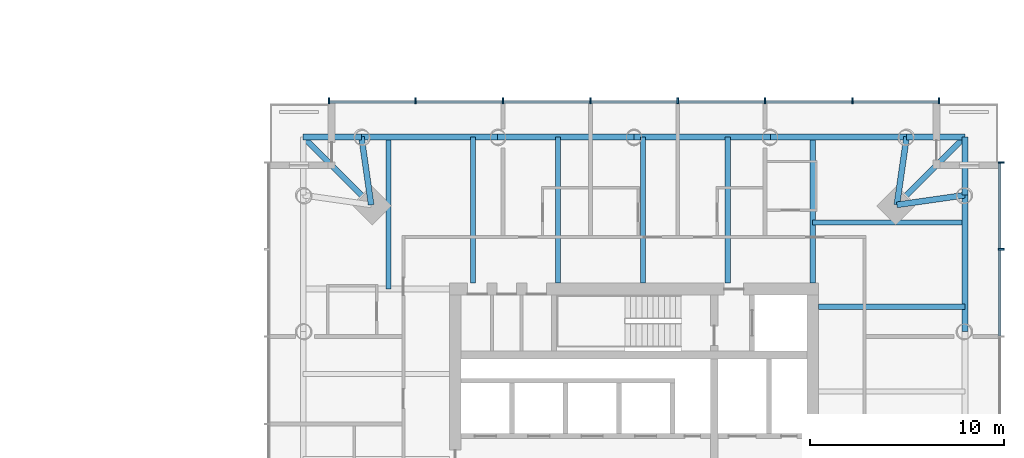
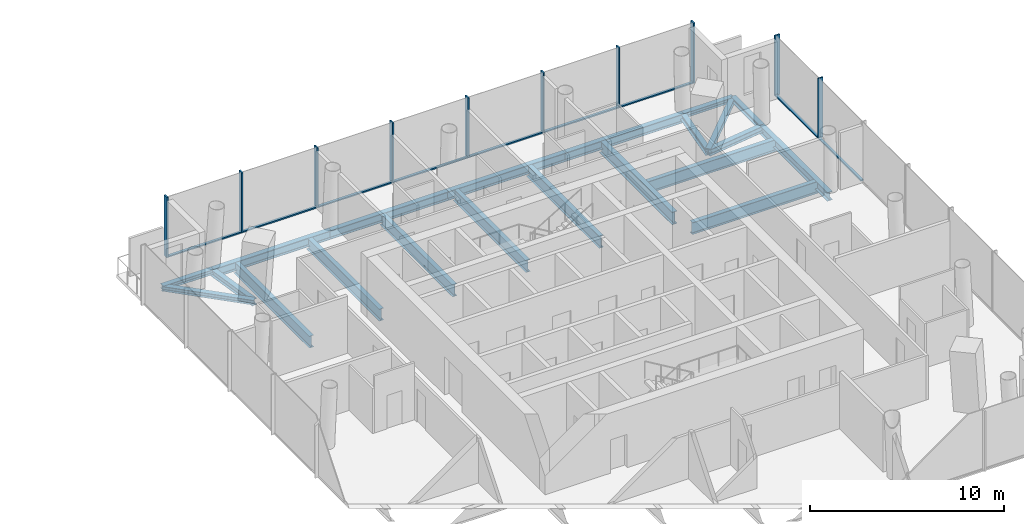
# One storey, part 6 of 26: 21 beams, 19 members, 2 elements without a shape of their own.
"""IFC4 building model written with IfcOpenShell, lengths in metres."""

from ifc_helpers import new_model, si_unit, direction, frame, origin, origin_2d, place, context, subcontext, project, spatial, rectangle, i_section, extrude, material, material_profile, profile_set, type_object, element, aggregate, save


model = new_model("IFC4")

# Units and contexts
model_context = context("Model", 3, precision=1e-05, world=origin(), true_north=direction((0.0, 1.0)))
body_context = subcontext(model_context, "Body", "Model", "MODEL_VIEW")
ifc_project = project(units=[si_unit("LENGTHUNIT", "METRE"), si_unit("AREAUNIT", "SQUARE_METRE"), si_unit("VOLUMEUNIT", "CUBIC_METRE"), si_unit("PLANEANGLEUNIT", "RADIAN"), si_unit("MASSUNIT", "GRAM", prefix="KILO")], contexts=[model_context])

# Site, building, storey
site_placement = place(None, origin())
site = spatial("IfcSite", under=ifc_project, at=site_placement, CompositionType="ELEMENT")
building_placement = place(site_placement, origin())
building = spatial("IfcBuilding", under=site, at=building_placement, Name="Ostroluk Exchange", CompositionType="ELEMENT")
storey_placement = place(building_placement, frame((0.0, 0.0, 66.60009765625)))
storey = spatial("IfcBuildingStorey", under=building, at=storey_placement, Name="L16", CompositionType="ELEMENT", Elevation=66.60009765625)

# Beams
ifc_material_1 = material(Name="Steel S355", Category="steel")
ifc_material_profile_1 = material_profile(ifc_material_1, i_section(OverallWidth=0.300048828125, OverallDepth=0.300048828125, WebThickness=0.010986328125, FlangeThickness=0.01904296875, FilletRadius=0.027099609375, at=origin_2d()), Name="HEB 300")
ifc_profile_set_1 = profile_set([ifc_material_profile_1], Name="Steel S355")
beam_type_1 = type_object("IfcBeamType", Name="Balcony beam HEB 300", PredefinedType="BEAM", material=ifc_profile_set_1)
for number, where, z_axis, x_axis, name in (
    (1, (134.034423828125, 60.034423828125, -0.35009765625), (0.0, 1.0, 0.0), (-1.0, 0.0, 0.0), "T2 east balcony beam a"),
    (2, (131.034423828125, 63.034423828125, -0.35009765625), (1.0, 0.0, 0.0), (0.0, 1.0, 0.0), "T2 east balcony beam b"),
):
    element("IfcBeam", number, at=place(storey_placement, frame(where, z_axis=z_axis, x_axis=x_axis)), inside=storey, type_object=beam_type_1, Name=name, PredefinedType="BEAM", context=body_context, shape_type="SweptSolid", body=[
        extrude(i_section(OverallWidth=0.300048828125, OverallDepth=0.300048828125, WebThickness=0.010986328125, FlangeThickness=0.01904296875, FilletRadius=0.027099609375, at=origin_2d()), origin(), (0.0, 0.0, 1.0), 3.0),
    ])
beam_1_placement = place(storey_placement, frame((130.534423828125, 59.534423828125, -0.35009765625), z_axis=(0.707106781187, 0.707106781187, 0.0), x_axis=(-0.707106781187, 0.707106781187, 0.0)))
element("IfcBeam", 3, at=beam_1_placement, inside=storey, type_object=beam_type_1, Name="T2 east balcony beam c", PredefinedType="BEAM", context=body_context, shape_type="SweptSolid", body=[
    extrude(i_section(OverallWidth=0.300048828125, OverallDepth=0.300048828125, WebThickness=0.010986328125, FlangeThickness=0.01904296875, FilletRadius=0.027099609375, at=origin_2d()), origin(), (0.0, 0.0, 1.0), 4.94970703125),
])
beam_2_placement = place(storey_placement, frame((102.965576171875, 63.034423828125, -0.35009765625), z_axis=(-1.0, 0.0, 0.0), x_axis=(0.0, -1.0, 0.0)))
element("IfcBeam", 4, at=beam_2_placement, inside=storey, type_object=beam_type_1, Name="T2 north balcony beam a", PredefinedType="BEAM", context=body_context, shape_type="SweptSolid", body=[
    extrude(i_section(OverallWidth=0.300048828125, OverallDepth=0.300048828125, WebThickness=0.010986328125, FlangeThickness=0.01904296875, FilletRadius=0.027099609375, at=origin_2d()), origin(), (0.0, 0.0, 1.0), 3.0),
])
beam_3_placement = place(storey_placement, frame((103.465576171875, 59.534423828125, -0.35009765625), z_axis=(-0.707106781187, 0.707106781187, 0.0), x_axis=(-0.707106781187, -0.707106781187, 0.0)))
element("IfcBeam", 5, at=beam_3_placement, inside=storey, type_object=beam_type_1, Name="T2 north balcony beam c", PredefinedType="BEAM", context=body_context, shape_type="SweptSolid", body=[
    extrude(i_section(OverallWidth=0.300048828125, OverallDepth=0.300048828125, WebThickness=0.010986328125, FlangeThickness=0.01904296875, FilletRadius=0.027099609375, at=origin_2d()), origin(), (0.0, 0.0, 1.0), 4.94970703125),
])
ifc_material_2 = material(Name="Steel S355", Category="steel")
ifc_material_profile_2 = material_profile(ifc_material_2, i_section(OverallWidth=0.300048828125, OverallDepth=0.39990234375, WebThickness=0.013427734375, FlangeThickness=0.02392578125, FilletRadius=0.027099609375, at=origin_2d()), Name="HEB 400")
ifc_profile_set_2 = profile_set([ifc_material_profile_2], Name="Steel S355")
beam_type_2 = type_object("IfcBeamType", Name="Corner edge beam HEB 400", PredefinedType="SPANDREL", material=ifc_profile_set_2)
for number, where, z_axis, x_axis, name in (
    (6, (130.534423828125, 59.534423828125, -0.400146484375), (0.989949493661, 0.141421356237, 0.0), (-0.141421356237, 0.989949493661, 0.0), "T2 east corner edge beam a"),
    (7, (130.534423828125, 59.534423828125, -0.400146484375), (0.141421356237, 0.989949493661, 0.0), (-0.989949493661, 0.141421356237, 0.0), "T2 east corner edge beam b"),
    (8, (103.465576171875, 59.534423828125, -0.400146484375), (-0.141421356237, 0.989949493661, 0.0), (-0.989949493661, -0.141421356237, 0.0), "T2 north corner edge beam a"),
):
    element("IfcBeam", number, at=place(storey_placement, frame(where, z_axis=z_axis, x_axis=x_axis)), inside=storey, type_object=beam_type_2, Name=name, PredefinedType="SPANDREL", context=body_context, shape_type="SweptSolid", body=[
        extrude(i_section(OverallWidth=0.300048828125, OverallDepth=0.39990234375, WebThickness=0.013427734375, FlangeThickness=0.02392578125, FilletRadius=0.027099609375, at=origin_2d()), origin(), (0.0, 0.0, 1.0), 3.53564453125),
    ])
ifc_material_3 = material(Name="Steel S355", Category="steel")
ifc_material_profile_3 = material_profile(ifc_material_3, i_section(OverallWidth=0.264892578125, OverallDepth=0.7529296875, WebThickness=0.01318359375, FlangeThickness=0.01708984375, FilletRadius=0.01708984375, at=origin_2d()), Name="IPE 750x147")
ifc_profile_set_3 = profile_set([ifc_material_profile_3], Name="Steel S355")
beam_type_3 = type_object("IfcBeamType", Name="Floor beam IPE 750x147", PredefinedType="BEAM", material=ifc_profile_set_3)
beam_4_placement = place(storey_placement, frame((126.5, 54.28955078125, -0.57666015625), z_axis=(1.0, 0.0, 0.0), x_axis=(0.0, 1.0, 0.0)))
element("IfcBeam", 9, at=beam_4_placement, inside=storey, type_object=beam_type_3, Name="T2 east floor beam 4", PredefinedType="BEAM", context=body_context, shape_type="SweptSolid", body=[
    extrude(i_section(OverallWidth=0.264892578125, OverallDepth=0.7529296875, WebThickness=0.01318359375, FlangeThickness=0.01708984375, FilletRadius=0.01708984375, at=origin_2d()), origin(), (0.0, 0.0, 1.0), 7.534423828125),
])
beam_5_placement = place(storey_placement, frame((126.199951171875, 58.634521484375, -0.57666015625), z_axis=(1.0, 0.0, 0.0), x_axis=(0.0, 1.0, 0.0)))
element("IfcBeam", 10, at=beam_5_placement, inside=storey, type_object=beam_type_3, Name="T2 east floor beam 5", PredefinedType="BEAM", context=body_context, shape_type="SweptSolid", body=[
    extrude(i_section(OverallWidth=0.264892578125, OverallDepth=0.7529296875, WebThickness=0.01318359375, FlangeThickness=0.01708984375, FilletRadius=0.01708984375, at=origin_2d()), origin(), (0.0, 0.0, 1.0), 7.83447265625),
])
for number, where, z_axis, x_axis, name in (
    (11, (121.82763671875, 55.5, -0.57666015625), (0.0, 1.0, 0.0), (-1.0, 0.0, 0.0), "T2 north floor beam 1"),
    (12, (117.455078125, 55.5, -0.57666015625), (0.0, 1.0, 0.0), (-1.0, 0.0, 0.0), "T2 north floor beam 2"),
    (13, (113.082763671875, 55.5, -0.57666015625), (0.0, 1.0, 0.0), (-1.0, 0.0, 0.0), "T2 north floor beam 3"),
    (14, (108.71044921875, 55.5, -0.57666015625), (0.0, 1.0, 0.0), (-1.0, 0.0, 0.0), "T2 north floor beam 4"),
):
    element("IfcBeam", number, at=place(storey_placement, frame(where, z_axis=z_axis, x_axis=x_axis)), inside=storey, type_object=beam_type_3, Name=name, PredefinedType="BEAM", context=body_context, shape_type="SweptSolid", body=[
        extrude(i_section(OverallWidth=0.264892578125, OverallDepth=0.7529296875, WebThickness=0.01318359375, FlangeThickness=0.01708984375, FilletRadius=0.01708984375, at=origin_2d()), origin(), (0.0, 0.0, 1.0), 7.534423828125),
    ])
beam_6_placement = place(storey_placement, frame((104.365478515625, 55.199951171875, -0.57666015625), z_axis=(0.0, 1.0, 0.0), x_axis=(-1.0, 0.0, 0.0)))
element("IfcBeam", 15, at=beam_6_placement, inside=storey, type_object=beam_type_3, Name="T2 north floor beam 5", PredefinedType="BEAM", context=body_context, shape_type="SweptSolid", body=[
    extrude(i_section(OverallWidth=0.264892578125, OverallDepth=0.7529296875, WebThickness=0.01318359375, FlangeThickness=0.01708984375, FilletRadius=0.01708984375, at=origin_2d()), origin(), (0.0, 0.0, 1.0), 7.83447265625),
])
ifc_material_4 = material(Name="Steel S355", Category="steel")
ifc_material_profile_4 = material_profile(ifc_material_4, i_section(OverallWidth=0.300048828125, OverallDepth=0.800048828125, WebThickness=0.017578125, FlangeThickness=0.032958984375, FilletRadius=0.030029296875, at=origin_2d()), Name="HEB 800")
ifc_profile_set_4 = profile_set([ifc_material_profile_4], Name="Steel S355")
beam_type_4 = type_object("IfcBeamType", Name="Girder HEB 800", PredefinedType="BEAM", material=ifc_profile_set_4)
beam_7_placement = place(storey_placement, frame((126.199951171875, 55.5, -0.60009765625), z_axis=(0.0, 1.0, 0.0), x_axis=(-1.0, 0.0, 0.0)))
element("IfcBeam", 16, at=beam_7_placement, inside=storey, type_object=beam_type_4, Name="T2 east girder", PredefinedType="BEAM", context=body_context, shape_type="SweptSolid", body=[
    extrude(i_section(OverallWidth=0.300048828125, OverallDepth=0.800048828125, WebThickness=0.017578125, FlangeThickness=0.032958984375, FilletRadius=0.030029296875, at=origin_2d()), origin(), (0.0, 0.0, 1.0), 7.534423828125),
])
ifc_material_5 = material(Name="Steel S355", Category="steel")
ifc_material_profile_5 = material_profile(ifc_material_5, i_section(OverallWidth=0.300048828125, OverallDepth=0.550048828125, WebThickness=0.014892578125, FlangeThickness=0.029052734375, FilletRadius=0.027099609375, at=origin_2d()), Name="HEB 550")
ifc_profile_set_5 = profile_set([ifc_material_profile_5], Name="Steel S355")
beam_type_5 = type_object("IfcBeamType", Name="Moment-connected edge beam HEB 550", PredefinedType="SPANDREL", material=ifc_profile_set_5)
for number, where, z_axis, x_axis, name in (
    (17, (134.034423828125, 53.017333984375, -0.47509765625), (0.0, 1.0, 0.0), (-1.0, 0.0, 0.0), "T2 east edge beam 4"),
    (18, (131.034423828125, 63.034423828125, -0.47509765625), (-1.0, 0.0, 0.0), (0.0, -1.0, 0.0), "T2 north edge beam 1"),
):
    element("IfcBeam", number, at=place(storey_placement, frame(where, z_axis=z_axis, x_axis=x_axis)), inside=storey, type_object=beam_type_5, Name=name, PredefinedType="SPANDREL", context=body_context, shape_type="SweptSolid", body=[
        extrude(i_section(OverallWidth=0.300048828125, OverallDepth=0.550048828125, WebThickness=0.014892578125, FlangeThickness=0.029052734375, FilletRadius=0.027099609375, at=origin_2d()), origin(), (0.0, 0.0, 1.0), 7.01708984375),
    ])
for number, where, z_axis, x_axis, name in (
    (19, (124.017333984375, 63.034423828125, -0.47509765625), (-1.0, 0.0, 0.0), (0.0, -1.0, 0.0), "T2 north edge beam 2"),
    (20, (117.0, 63.034423828125, -0.47509765625), (-1.0, 0.0, 0.0), (0.0, -1.0, 0.0), "T2 north edge beam 3"),
):
    element("IfcBeam", number, at=place(storey_placement, frame(where, z_axis=z_axis, x_axis=x_axis)), inside=storey, type_object=beam_type_5, Name=name, PredefinedType="SPANDREL", context=body_context, shape_type="SweptSolid", body=[
        extrude(i_section(OverallWidth=0.300048828125, OverallDepth=0.550048828125, WebThickness=0.014892578125, FlangeThickness=0.029052734375, FilletRadius=0.027099609375, at=origin_2d()), origin(), (0.0, 0.0, 1.0), 7.017333984375),
    ])
beam_8_placement = place(storey_placement, frame((109.982666015625, 63.034423828125, -0.47509765625), z_axis=(-1.0, 0.0, 0.0), x_axis=(0.0, -1.0, 0.0)))
element("IfcBeam", 21, at=beam_8_placement, inside=storey, type_object=beam_type_5, Name="T2 north edge beam 4", PredefinedType="SPANDREL", context=body_context, shape_type="SweptSolid", body=[
    extrude(i_section(OverallWidth=0.300048828125, OverallDepth=0.550048828125, WebThickness=0.014892578125, FlangeThickness=0.029052734375, FilletRadius=0.027099609375, at=origin_2d()), origin(), (0.0, 0.0, 1.0), 7.01708984375),
])

# Curtain wall, members
ifc_material_6 = material(Name="Laminated clear glass", Category="glass")
curtain_wall_type = type_object("IfcCurtainWallType", Name="Hotel guest floor facade", PredefinedType="USERDEFINED", material=ifc_material_6)
curtain_wall_1_placement = place(storey_placement, origin())
curtain_wall_1 = element("IfcCurtainWall", 22, at=curtain_wall_1_placement, inside=storey, type_object=curtain_wall_type, Name="Hotel tower east facade L16", ObjectType="UNITISED CURTAIN WALL", PredefinedType="USERDEFINED")
ifc_material_7 = material(Name="Aluminium mullion", Category="aluminium")
ifc_material_profile_6 = material_profile(ifc_material_7, rectangle(XDim=0.14990234375, YDim=0.080078125, at=origin_2d()), Name="Sill transom 80 x 150")
ifc_profile_set_6 = profile_set([ifc_material_profile_6], Name="Aluminium mullion")
member_type_1 = type_object("IfcMemberType", Name="Sill transom 80 x 150", PredefinedType="USERDEFINED", material=ifc_profile_set_6)
member_1_placement = place(storey_placement, frame((135.824951171875, 52.7900390625, 0.039794921875), z_axis=(0.0, 1.0, 0.0), x_axis=(-1.0, 0.0, 0.0)))
member_1 = element("IfcMember", 23, at=member_1_placement, type_object=member_type_1, Name="CW-H1 transom 6.1", ObjectType="TRANSOM", PredefinedType="USERDEFINED", context=body_context, shape_type="SweptSolid", body=[
    extrude(rectangle(XDim=0.14990234375, YDim=0.080078125, at=origin_2d()), origin(), (0.0, 0.0, 1.0), 4.419921875),
])
member_2_placement = place(storey_placement, frame((135.824951171875, 57.2900390625, 0.039794921875), z_axis=(0.0, 1.0, 0.0), x_axis=(-1.0, 0.0, 0.0)))
member_2 = element("IfcMember", 24, at=member_2_placement, type_object=member_type_1, Name="CW-H1 transom 7.1", ObjectType="TRANSOM", PredefinedType="USERDEFINED", context=body_context, shape_type="SweptSolid", body=[
    extrude(rectangle(XDim=0.14990234375, YDim=0.080078125, at=origin_2d()), origin(), (0.0, 0.0, 1.0), 4.3798828125),
])

curtain_wall_2_placement = place(storey_placement, origin())
curtain_wall_2 = element("IfcCurtainWall", 25, at=curtain_wall_2_placement, inside=storey, type_object=curtain_wall_type, Name="Hotel tower north facade L16", ObjectType="UNITISED CURTAIN WALL", PredefinedType="USERDEFINED")
member_3_placement = place(storey_placement, frame((132.669921875, 64.824951171875, 0.039794921875), z_axis=(-1.0, 0.0, 0.0), x_axis=(0.0, -1.0, 0.0)))
member_3 = element("IfcMember", 26, at=member_3_placement, type_object=member_type_1, Name="CW-H1 transom 1.1", ObjectType="TRANSOM", PredefinedType="USERDEFINED", context=body_context, shape_type="SweptSolid", body=[
    extrude(rectangle(XDim=0.14990234375, YDim=0.080078125, at=origin_2d()), origin(), (0.0, 0.0, 1.0), 4.3798828125),
])
member_4_placement = place(storey_placement, frame((128.2099609375, 64.824951171875, 0.039794921875), z_axis=(-1.0, 0.0, 0.0), x_axis=(0.0, -1.0, 0.0)))
member_4 = element("IfcMember", 27, at=member_4_placement, type_object=member_type_1, Name="CW-H1 transom 2.1", ObjectType="TRANSOM", PredefinedType="USERDEFINED", context=body_context, shape_type="SweptSolid", body=[
    extrude(rectangle(XDim=0.14990234375, YDim=0.080078125, at=origin_2d()), origin(), (0.0, 0.0, 1.0), 4.419921875),
])
member_5_placement = place(storey_placement, frame((123.7099609375, 64.824951171875, 0.039794921875), z_axis=(-1.0, 0.0, 0.0), x_axis=(0.0, -1.0, 0.0)))
member_5 = element("IfcMember", 28, at=member_5_placement, type_object=member_type_1, Name="CW-H1 transom 3.1", ObjectType="TRANSOM", PredefinedType="USERDEFINED", context=body_context, shape_type="SweptSolid", body=[
    extrude(rectangle(XDim=0.14990234375, YDim=0.080078125, at=origin_2d()), origin(), (0.0, 0.0, 1.0), 4.419921875),
])
member_6_placement = place(storey_placement, frame((119.2099609375, 64.824951171875, 0.039794921875), z_axis=(-1.0, 0.0, 0.0), x_axis=(0.0, -1.0, 0.0)))
member_6 = element("IfcMember", 29, at=member_6_placement, type_object=member_type_1, Name="CW-H1 transom 4.1", ObjectType="TRANSOM", PredefinedType="USERDEFINED", context=body_context, shape_type="SweptSolid", body=[
    extrude(rectangle(XDim=0.14990234375, YDim=0.080078125, at=origin_2d()), origin(), (0.0, 0.0, 1.0), 4.419921875),
])
member_7_placement = place(storey_placement, frame((114.7099609375, 64.824951171875, 0.039794921875), z_axis=(-1.0, 0.0, 0.0), x_axis=(0.0, -1.0, 0.0)))
member_7 = element("IfcMember", 30, at=member_7_placement, type_object=member_type_1, Name="CW-H1 transom 5.1", ObjectType="TRANSOM", PredefinedType="USERDEFINED", context=body_context, shape_type="SweptSolid", body=[
    extrude(rectangle(XDim=0.14990234375, YDim=0.080078125, at=origin_2d()), origin(), (0.0, 0.0, 1.0), 4.419921875),
])
member_8_placement = place(storey_placement, frame((110.2099609375, 64.824951171875, 0.039794921875), z_axis=(-1.0, 0.0, 0.0), x_axis=(0.0, -1.0, 0.0)))
member_8 = element("IfcMember", 31, at=member_8_placement, type_object=member_type_1, Name="CW-H1 transom 6.1", ObjectType="TRANSOM", PredefinedType="USERDEFINED", context=body_context, shape_type="SweptSolid", body=[
    extrude(rectangle(XDim=0.14990234375, YDim=0.080078125, at=origin_2d()), origin(), (0.0, 0.0, 1.0), 4.419921875),
])
member_9_placement = place(storey_placement, frame((105.7099609375, 64.824951171875, 0.039794921875), z_axis=(-1.0, 0.0, 0.0), x_axis=(0.0, -1.0, 0.0)))
member_9 = element("IfcMember", 32, at=member_9_placement, type_object=member_type_1, Name="CW-H1 transom 7.1", ObjectType="TRANSOM", PredefinedType="USERDEFINED", context=body_context, shape_type="SweptSolid", body=[
    extrude(rectangle(XDim=0.14990234375, YDim=0.080078125, at=origin_2d()), origin(), (0.0, 0.0, 1.0), 4.3798828125),
])

# Member
ifc_material_8 = material(Name="Aluminium mullion with limestone facing", Category="masonry")
ifc_material_profile_7 = material_profile(ifc_material_8, rectangle(XDim=0.300048828125, YDim=0.080078125, at=origin_2d()), Name="Tracery mullion 80 x 300")
ifc_profile_set_7 = profile_set([ifc_material_profile_7], Name="Aluminium mullion with limestone facing")
member_type_2 = type_object("IfcMemberType", Name="Tracery mullion 80 x 300", PredefinedType="MULLION", material=ifc_profile_set_7)
member_10_placement = place(storey_placement, frame((135.89990234375, 57.25, 0.0), z_axis=(0.0, 0.0, 1.0), x_axis=(-1.0, 0.0, 0.0)))
member_10 = element("IfcMember", 33, at=member_10_placement, type_object=member_type_2, Name="CW-H1 mullion 7", PredefinedType="MULLION", context=body_context, shape_type="SweptSolid", body=[
    extrude(rectangle(XDim=0.300048828125, YDim=0.080078125, at=origin_2d()), origin(), (0.0, 0.0, 1.0), 3.7998046875),
])

member_11_placement = place(storey_placement, frame((135.89990234375, 61.7099609375, 0.0), z_axis=(0.0, 0.0, 1.0), x_axis=(-1.0, 0.0, 0.0)))
member_11 = element("IfcMember", 34, at=member_11_placement, type_object=member_type_2, Name="CW-H1 mullion 8", PredefinedType="MULLION", context=body_context, shape_type="SweptSolid", body=[
    extrude(rectangle(XDim=0.300048828125, YDim=0.080078125, at=origin_2d()), origin(), (0.0, 0.0, 1.0), 3.7998046875),
])

aggregate(curtain_wall_1, [member_10, member_11, member_1, member_2])

member_12_placement = place(storey_placement, frame((132.7099609375, 64.89990234375, 0.0), z_axis=(0.0, 0.0, 1.0), x_axis=(0.0, -1.0, 0.0)))
member_12 = element("IfcMember", 35, at=member_12_placement, type_object=member_type_2, Name="CW-H1 mullion 1", PredefinedType="MULLION", context=body_context, shape_type="SweptSolid", body=[
    extrude(rectangle(XDim=0.300048828125, YDim=0.080078125, at=origin_2d()), origin(), (0.0, 0.0, 1.0), 3.7998046875),
])

member_13_placement = place(storey_placement, frame((128.25, 64.89990234375, 0.0), z_axis=(0.0, 0.0, 1.0), x_axis=(0.0, -1.0, 0.0)))
member_13 = element("IfcMember", 36, at=member_13_placement, type_object=member_type_2, Name="CW-H1 mullion 2", PredefinedType="MULLION", context=body_context, shape_type="SweptSolid", body=[
    extrude(rectangle(XDim=0.300048828125, YDim=0.080078125, at=origin_2d()), origin(), (0.0, 0.0, 1.0), 3.7998046875),
])

member_14_placement = place(storey_placement, frame((123.75, 64.89990234375, 0.0), z_axis=(0.0, 0.0, 1.0), x_axis=(0.0, -1.0, 0.0)))
member_14 = element("IfcMember", 37, at=member_14_placement, type_object=member_type_2, Name="CW-H1 mullion 3", PredefinedType="MULLION", context=body_context, shape_type="SweptSolid", body=[
    extrude(rectangle(XDim=0.300048828125, YDim=0.080078125, at=origin_2d()), origin(), (0.0, 0.0, 1.0), 3.7998046875),
])

member_15_placement = place(storey_placement, frame((119.25, 64.89990234375, 0.0), z_axis=(0.0, 0.0, 1.0), x_axis=(0.0, -1.0, 0.0)))
member_15 = element("IfcMember", 38, at=member_15_placement, type_object=member_type_2, Name="CW-H1 mullion 4", PredefinedType="MULLION", context=body_context, shape_type="SweptSolid", body=[
    extrude(rectangle(XDim=0.300048828125, YDim=0.080078125, at=origin_2d()), origin(), (0.0, 0.0, 1.0), 3.7998046875),
])

member_16_placement = place(storey_placement, frame((114.75, 64.89990234375, 0.0), z_axis=(0.0, 0.0, 1.0), x_axis=(0.0, -1.0, 0.0)))
member_16 = element("IfcMember", 39, at=member_16_placement, type_object=member_type_2, Name="CW-H1 mullion 5", PredefinedType="MULLION", context=body_context, shape_type="SweptSolid", body=[
    extrude(rectangle(XDim=0.300048828125, YDim=0.080078125, at=origin_2d()), origin(), (0.0, 0.0, 1.0), 3.7998046875),
])

member_17_placement = place(storey_placement, frame((110.25, 64.89990234375, 0.0), z_axis=(0.0, 0.0, 1.0), x_axis=(0.0, -1.0, 0.0)))
member_17 = element("IfcMember", 40, at=member_17_placement, type_object=member_type_2, Name="CW-H1 mullion 6", PredefinedType="MULLION", context=body_context, shape_type="SweptSolid", body=[
    extrude(rectangle(XDim=0.300048828125, YDim=0.080078125, at=origin_2d()), origin(), (0.0, 0.0, 1.0), 3.7998046875),
])

member_18_placement = place(storey_placement, frame((105.75, 64.89990234375, 0.0), z_axis=(0.0, 0.0, 1.0), x_axis=(0.0, -1.0, 0.0)))
member_18 = element("IfcMember", 41, at=member_18_placement, type_object=member_type_2, Name="CW-H1 mullion 7", PredefinedType="MULLION", context=body_context, shape_type="SweptSolid", body=[
    extrude(rectangle(XDim=0.300048828125, YDim=0.080078125, at=origin_2d()), origin(), (0.0, 0.0, 1.0), 3.7998046875),
])

member_19_placement = place(storey_placement, frame((101.2900390625, 64.89990234375, 0.0), z_axis=(0.0, 0.0, 1.0), x_axis=(0.0, -1.0, 0.0)))
member_19 = element("IfcMember", 42, at=member_19_placement, type_object=member_type_2, Name="CW-H1 mullion 8", PredefinedType="MULLION", context=body_context, shape_type="SweptSolid", body=[
    extrude(rectangle(XDim=0.300048828125, YDim=0.080078125, at=origin_2d()), origin(), (0.0, 0.0, 1.0), 3.7998046875),
])

aggregate(curtain_wall_2, [member_12, member_13, member_14, member_15, member_16, member_17, member_18, member_19, member_3, member_4, member_5, member_6, member_7, member_8, member_9])

save(model, "model.ifc")
